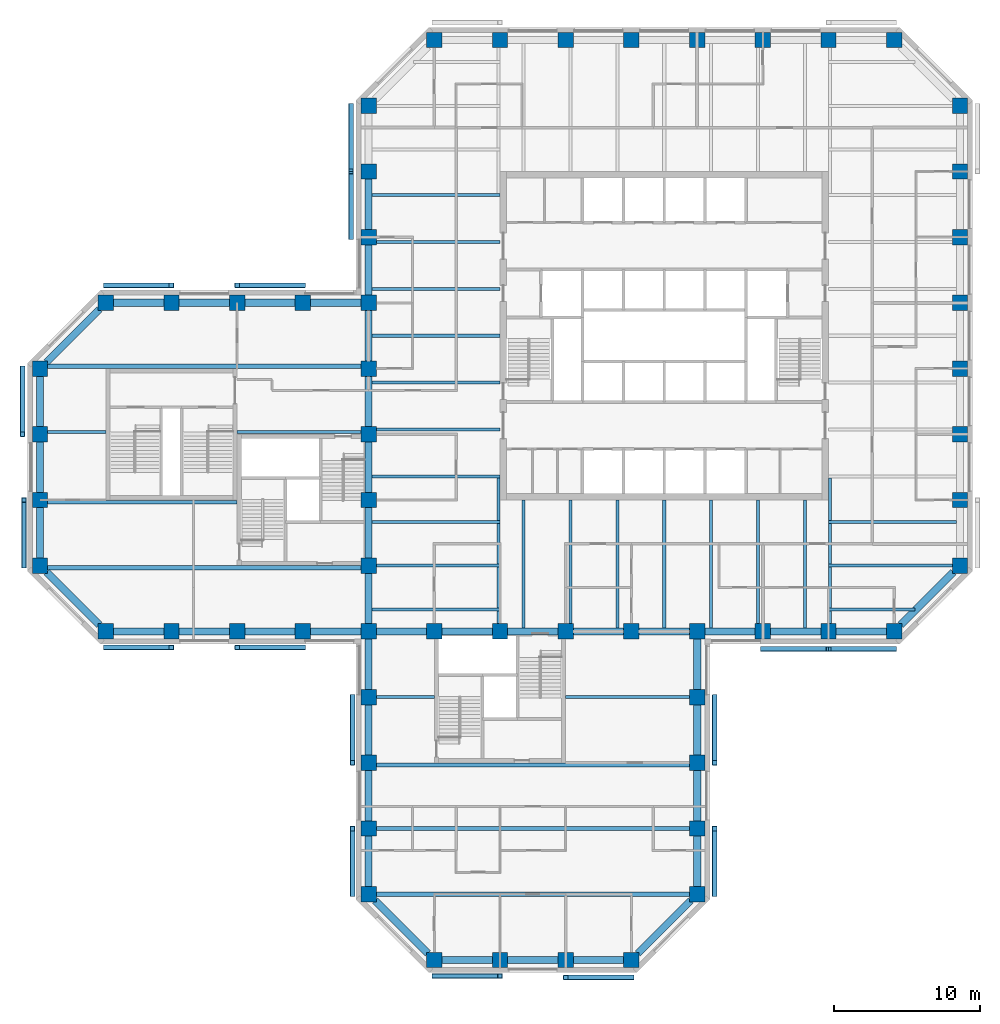
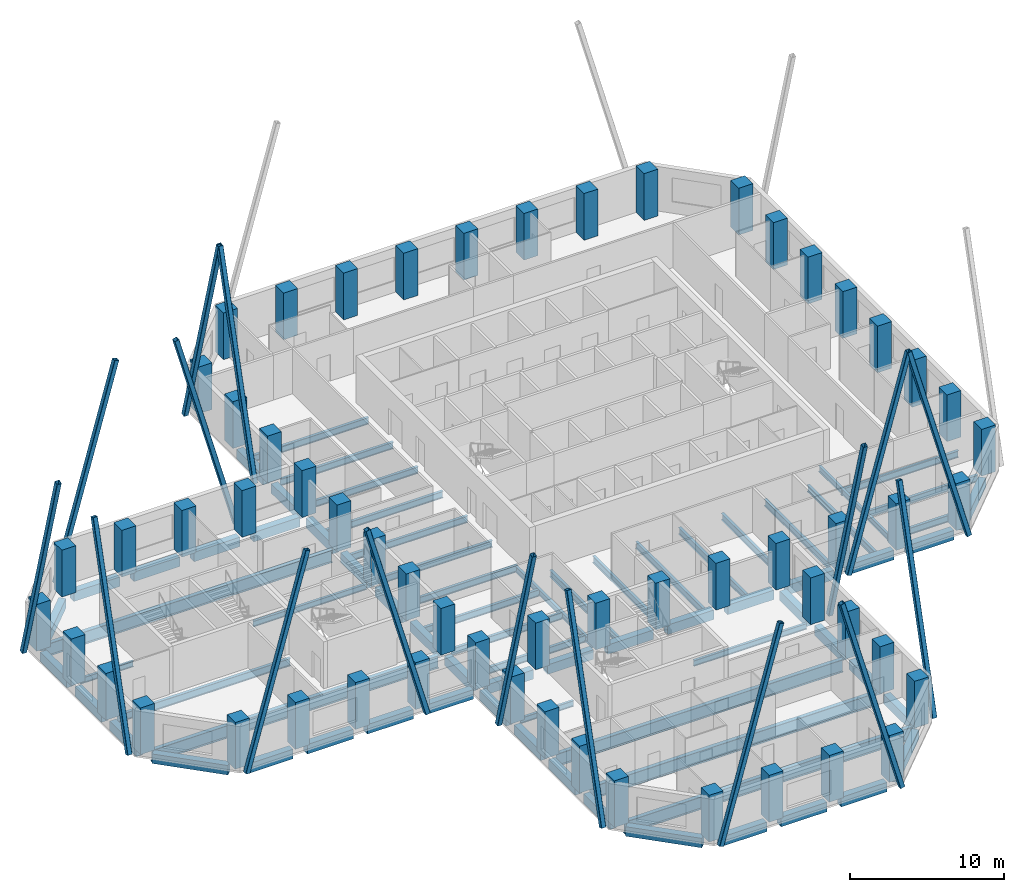
# One storey, part 1 of 11: 74 beams, 57 columns, 16 members.
"""IFC4 building model written with IfcOpenShell, lengths in metres."""

from ifc_helpers import new_model, si_unit, direction, frame, origin, origin_2d, place, context, subcontext, project, spatial, rectangle, hollow_rectangle, i_section, extrude, material, material_profile, profile_set, type_object, element, save


model = new_model("IFC4")

# Units and contexts
model_context = context("Model", 3, precision=1e-05, world=origin(), true_north=direction((0.0, 1.0)))
body_context = subcontext(model_context, "Body", "Model", "MODEL_VIEW")
ifc_project = project(units=[si_unit("LENGTHUNIT", "METRE"), si_unit("AREAUNIT", "SQUARE_METRE"), si_unit("VOLUMEUNIT", "CUBIC_METRE"), si_unit("PLANEANGLEUNIT", "RADIAN"), si_unit("MASSUNIT", "GRAM", prefix="KILO")], contexts=[model_context])

# Site, building, storey
site_placement = place(None, origin())
site = spatial("IfcSite", under=ifc_project, at=site_placement, CompositionType="ELEMENT")
building_placement = place(site_placement, origin())
building = spatial("IfcBuilding", under=site, at=building_placement, Name="Quoin Convention Tower", CompositionType="ELEMENT")
storey_placement = place(building_placement, frame((0.0, 0.0, 127.0)))
storey = spatial("IfcBuildingStorey", under=building, at=storey_placement, Name="L33", CompositionType="ELEMENT", Elevation=127.0)

# Columns
ifc_material_1 = material(Name="Concrete C65", Category="concrete")
ifc_material_profile_1 = material_profile(ifc_material_1, rectangle(XDim=1.050048828125, YDim=1.050048828125, at=origin_2d()), Name="RC 1050x1050")
ifc_profile_set_1 = profile_set([ifc_material_profile_1], Name="Concrete C65")
column_type = type_object("IfcColumnType", Name="RC 1050x1050 C65", PredefinedType="COLUMN", material=ifc_profile_set_1)
for number, where, z_axis, x_axis, name in (
    (1, (40.5, 18.0, 0.0), (0.0, 0.0, 1.0), (1.0, 0.0, 0.0), "col-L33-40500_18000"),
    (2, (45.0, 18.0, 0.0), (0.0, 0.0, 1.0), (1.0, 0.0, 0.0), "col-L33-45000_18000"),
    (3, (49.5, 18.0, 0.0), (0.0, 0.0, 1.0), (1.0, 0.0, 0.0), "col-L33-49500_18000"),
    (4, (54.0, 18.0, 0.0), (0.0, 0.0, 1.0), (1.0, 0.0, 0.0), "col-L33-54000_18000"),
    (5, (36.0, 22.5, 0.0), (0.0, 0.0, 1.0), (1.0, 0.0, 0.0), "col-L33-36000_22500"),
    (6, (58.5, 22.5, 0.0), (0.0, 0.0, 1.0), (1.0, 0.0, 0.0), "col-L33-58500_22500"),
    (7, (36.0, 27.0, 0.0), (0.0, 0.0, 1.0), (1.0, 0.0, 0.0), "col-L33-36000_27000"),
    (8, (58.5, 27.0, 0.0), (0.0, 0.0, 1.0), (1.0, 0.0, 0.0), "col-L33-58500_27000"),
    (9, (36.0, 31.5, 0.0), (0.0, 0.0, 1.0), (1.0, 0.0, 0.0), "col-L33-36000_31500"),
    (10, (58.5, 31.5, 0.0), (0.0, 0.0, 1.0), (1.0, 0.0, 0.0), "col-L33-58500_31500"),
    (11, (36.0, 36.0, 0.0), (0.0, 0.0, 1.0), (1.0, 0.0, 0.0), "col-L33-36000_36000"),
    (12, (58.5, 36.0, 0.0), (0.0, 0.0, 1.0), (1.0, 0.0, 0.0), "col-L33-58500_36000"),
    (13, (18.0, 40.5, 0.0), (0.0, 0.0, 1.0), (1.0, 0.0, 0.0), "col-L33-18000_40500"),
    (14, (22.5, 40.5, 0.0), (0.0, 0.0, 1.0), (1.0, 0.0, 0.0), "col-L33-22500_40500"),
    (15, (27.0, 40.5, 0.0), (0.0, 0.0, 1.0), (1.0, 0.0, 0.0), "col-L33-27000_40500"),
    (16, (31.5, 40.5, 0.0), (0.0, 0.0, 1.0), (1.0, 0.0, 0.0), "col-L33-31500_40500"),
    (17, (36.0, 40.5, 0.0), (0.0, 0.0, 1.0), (1.0, 0.0, 0.0), "col-L33-36000_40500"),
    (18, (40.5, 40.5, 0.0), (0.0, 0.0, 1.0), (1.0, 0.0, 0.0), "web-L33-40500_40500"),
    (19, (45.0, 40.5, 0.0), (0.0, 0.0, 1.0), (1.0, 0.0, 0.0), "web-L33-45000_40500"),
    (20, (49.5, 40.5, 0.0), (0.0, 0.0, 1.0), (1.0, 0.0, 0.0), "web-L33-49500_40500"),
    (21, (54.0, 40.5, 0.0), (0.0, 0.0, 1.0), (1.0, 0.0, 0.0), "web-L33-54000_40500"),
    (22, (58.5, 40.5, 0.0), (0.0, 0.0, 1.0), (1.0, 0.0, 0.0), "col-L33-58500_40500"),
    (23, (63.0, 40.5, 0.0), (0.0, 0.0, 1.0), (1.0, 0.0, 0.0), "col-L33-63000_40500"),
    (24, (67.5, 40.5, 0.0), (0.0, 0.0, 1.0), (1.0, 0.0, 0.0), "col-L33-67500_40500"),
    (25, (72.0, 40.5, 0.0), (0.0, 0.0, 1.0), (1.0, 0.0, 0.0), "col-L33-72000_40500"),
    (26, (13.5, 45.0, 0.0), (0.0, 0.0, 1.0), (1.0, 0.0, 0.0), "col-L33-13500_45000"),
    (27, (36.0, 45.0, 0.0), (0.0, 0.0, 1.0), (1.0, 0.0, 0.0), "web-L33-36000_45000"),
    (28, (76.5, 45.0, 0.0), (0.0, 0.0, 1.0), (1.0, 0.0, 0.0), "col-L33-76500_45000"),
    (29, (13.5, 49.5, 0.0), (0.0, 0.0, 1.0), (1.0, 0.0, 0.0), "col-L33-13500_49500"),
    (30, (36.0, 49.5, 0.0), (0.0, 0.0, 1.0), (1.0, 0.0, 0.0), "web-L33-36000_49500"),
    (31, (76.5, 49.5, 0.0), (0.0, 0.0, 1.0), (1.0, 0.0, 0.0), "col-L33-76500_49500"),
    (32, (13.5, 54.0, 0.0), (0.0, 0.0, 1.0), (1.0, 0.0, 0.0), "col-L33-13500_54000"),
    (33, (36.0, 54.0, 0.0), (0.0, 0.0, 1.0), (1.0, 0.0, 0.0), "web-L33-36000_54000"),
    (34, (76.5, 54.0, 0.0), (0.0, 0.0, 1.0), (1.0, 0.0, 0.0), "col-L33-76500_54000"),
    (35, (13.5, 58.5, 0.0), (0.0, 0.0, 1.0), (1.0, 0.0, 0.0), "col-L33-13500_58500"),
    (36, (36.0, 58.5, 0.0), (0.0, 0.0, 1.0), (1.0, 0.0, 0.0), "web-L33-36000_58500"),
    (37, (76.5, 58.5, 0.0), (0.0, 0.0, 1.0), (1.0, 0.0, 0.0), "col-L33-76500_58500"),
    (38, (18.0, 63.0, 0.0), (0.0, 0.0, 1.0), (1.0, 0.0, 0.0), "col-L33-18000_63000"),
    (39, (22.5, 63.0, 0.0), (0.0, 0.0, 1.0), (1.0, 0.0, 0.0), "col-L33-22500_63000"),
    (40, (27.0, 63.0, 0.0), (0.0, 0.0, 1.0), (1.0, 0.0, 0.0), "col-L33-27000_63000"),
    (41, (31.5, 63.0, 0.0), (0.0, 0.0, 1.0), (1.0, 0.0, 0.0), "col-L33-31500_63000"),
    (42, (36.0, 63.0, 0.0), (0.0, 0.0, 1.0), (1.0, 0.0, 0.0), "col-L33-36000_63000"),
    (43, (76.5, 63.0, 0.0), (0.0, 0.0, 1.0), (1.0, 0.0, 0.0), "col-L33-76500_63000"),
    (44, (36.0, 67.5, 0.0), (0.0, 0.0, 1.0), (1.0, 0.0, 0.0), "col-L33-36000_67500"),
    (45, (76.5, 67.5, 0.0), (0.0, 0.0, 1.0), (1.0, 0.0, 0.0), "col-L33-76500_67500"),
    (46, (36.0, 72.0, 0.0), (0.0, 0.0, 1.0), (1.0, 0.0, 0.0), "col-L33-36000_72000"),
    (47, (76.5, 72.0, 0.0), (0.0, 0.0, 1.0), (1.0, 0.0, 0.0), "col-L33-76500_72000"),
    (48, (36.0, 76.5, 0.0), (0.0, 0.0, 1.0), (1.0, 0.0, 0.0), "col-L33-36000_76500"),
    (49, (76.5, 76.5, 0.0), (0.0, 0.0, 1.0), (1.0, 0.0, 0.0), "col-L33-76500_76500"),
    (50, (40.5, 81.0, 0.0), (0.0, 0.0, 1.0), (1.0, 0.0, 0.0), "col-L33-40500_81000"),
    (51, (45.0, 81.0, 0.0), (0.0, 0.0, 1.0), (1.0, 0.0, 0.0), "col-L33-45000_81000"),
    (52, (49.5, 81.0, 0.0), (0.0, 0.0, 1.0), (1.0, 0.0, 0.0), "col-L33-49500_81000"),
    (53, (54.0, 81.0, 0.0), (0.0, 0.0, 1.0), (1.0, 0.0, 0.0), "col-L33-54000_81000"),
    (54, (58.5, 81.0, 0.0), (0.0, 0.0, 1.0), (1.0, 0.0, 0.0), "col-L33-58500_81000"),
    (55, (63.0, 81.0, 0.0), (0.0, 0.0, 1.0), (1.0, 0.0, 0.0), "col-L33-63000_81000"),
    (56, (67.5, 81.0, 0.0), (0.0, 0.0, 1.0), (1.0, 0.0, 0.0), "col-L33-67500_81000"),
    (57, (72.0, 81.0, 0.0), (0.0, 0.0, 1.0), (1.0, 0.0, 0.0), "col-L33-72000_81000"),
):
    element("IfcColumn", number, at=place(storey_placement, frame(where, z_axis=z_axis, x_axis=x_axis)), inside=storey, type_object=column_type, Name=name, PredefinedType="COLUMN", context=body_context, shape_type="SweptSolid", body=[
        extrude(rectangle(XDim=1.050048828125, YDim=1.050048828125, at=origin_2d()), origin(), (0.0, 0.0, 1.0), 3.699951171875),
    ])

# Beams
ifc_material_2 = material(Name="Steel Grade 300", Category="steel")
ifc_material_profile_2 = material_profile(ifc_material_2, i_section(OverallWidth=0.300048828125, OverallDepth=1.0, WebThickness=0.01611328125, FlangeThickness=0.02001953125, at=origin_2d()), Name="1000WB215")
ifc_profile_set_2 = profile_set([ifc_material_profile_2], Name="Steel Grade 300")
beam_type_1 = type_object("IfcBeamType", Name="1000WB215", PredefinedType="BEAM", material=ifc_profile_set_2)
for number, where, z_axis, x_axis, name in (
    (58, (36.52490234375, 22.5, -0.64990234375), (1.0, 0.0, 0.0), (0.0, 1.0, 0.0), "gir-L33-ST3-1-0"),
    (59, (36.52490234375, 27.0, -0.64990234375), (1.0, 0.0, 0.0), (0.0, 1.0, 0.0), "gir-L33-ST3-2-0"),
    (60, (36.52490234375, 31.35009765625, -0.64990234375), (1.0, 0.0, 0.0), (0.0, 1.0, 0.0), "gir-L33-ST3-3-0"),
    (61, (14.02490234375, 44.85009765625, -0.64990234375), (1.0, 0.0, 0.0), (0.0, 1.0, 0.0), "gir-L33-ST2-1-0"),
    (62, (14.02490234375, 58.64990234375, -0.64990234375), (1.0, 0.0, 0.0), (0.0, 1.0, 0.0), "gir-L33-ST2-4-0"),
):
    element("IfcBeam", number, at=place(storey_placement, frame(where, z_axis=z_axis, x_axis=x_axis)), inside=storey, type_object=beam_type_1, Name=name, PredefinedType="BEAM", context=body_context, shape_type="SweptSolid", body=[
        extrude(i_section(OverallWidth=0.300048828125, OverallDepth=1.0, WebThickness=0.01611328125, FlangeThickness=0.02001953125, at=origin_2d()), origin(), (0.0, 0.0, 1.0), 21.4501953125),
    ])
ifc_material_profile_3 = material_profile(ifc_material_2, i_section(OverallWidth=0.18994140625, OverallDepth=0.4541015625, WebThickness=0.008544921875, FlangeThickness=0.0126953125, FilletRadius=0.011474609375, at=origin_2d()), Name="460UB67.1")
ifc_profile_set_3 = profile_set([ifc_material_profile_3], Name="Steel Grade 300")
beam_type_2 = type_object("IfcBeamType", Name="460UB67.1", PredefinedType="BEAM", material=ifc_profile_set_3)
for number, where, z_axis, x_axis, name in (
    (63, (44.8955078125, 41.02490234375, -0.376953125), (0.0, 1.0, 0.0), (-1.0, 0.0, 0.0), "gir-L33-T1SW"),
    (64, (67.6044921875, 41.02490234375, -0.376953125), (0.0, 1.0, 0.0), (-1.0, 0.0, 0.0), "gir-L33-T1SE"),
):
    element("IfcBeam", number, at=place(storey_placement, frame(where, z_axis=z_axis, x_axis=x_axis)), inside=storey, type_object=beam_type_2, Name=name, PredefinedType="BEAM", context=body_context, shape_type="SweptSolid", body=[
        extrude(i_section(OverallWidth=0.18994140625, OverallDepth=0.4541015625, WebThickness=0.008544921875, FlangeThickness=0.0126953125, FilletRadius=0.011474609375, at=origin_2d()), origin(), (0.0, 0.0, 1.0), 9.977783203125),
    ])
beam_1_placement = place(storey_placement, frame((36.52490234375, 36.0, -0.376953125), z_axis=(1.0, 0.0, 0.0), x_axis=(0.0, 1.0, 0.0)))
element("IfcBeam", 65, at=beam_1_placement, inside=storey, type_object=beam_type_2, Name="gir-L33-ST3-4-0", PredefinedType="BEAM", context=body_context, shape_type="SweptSolid", body=[
    extrude(i_section(OverallWidth=0.18994140625, OverallDepth=0.4541015625, WebThickness=0.008544921875, FlangeThickness=0.0126953125, FilletRadius=0.011474609375, at=origin_2d()), origin(), (0.0, 0.0, 1.0), 3.97509765625),
])
beam_2_placement = place(storey_placement, frame((49.5, 36.0, -0.376953125), z_axis=(1.0, 0.0, 0.0), x_axis=(0.0, 1.0, 0.0)))
element("IfcBeam", 66, at=beam_2_placement, inside=storey, type_object=beam_type_2, Name="gir-L33-ST3-4-1", PredefinedType="BEAM", context=body_context, shape_type="SweptSolid", body=[
    extrude(i_section(OverallWidth=0.18994140625, OverallDepth=0.4541015625, WebThickness=0.008544921875, FlangeThickness=0.0126953125, FilletRadius=0.011474609375, at=origin_2d()), origin(), (0.0, 0.0, 1.0), 8.47509765625),
])
beam_3_placement = place(storey_placement, frame((14.02490234375, 54.14990234375, -0.376953125), z_axis=(1.0, 0.0, 0.0), x_axis=(0.0, 1.0, 0.0)))
element("IfcBeam", 67, at=beam_3_placement, inside=storey, type_object=beam_type_2, Name="gir-L33-ST2-3-0", PredefinedType="BEAM", context=body_context, shape_type="SweptSolid", body=[
    extrude(i_section(OverallWidth=0.18994140625, OverallDepth=0.4541015625, WebThickness=0.008544921875, FlangeThickness=0.0126953125, FilletRadius=0.011474609375, at=origin_2d()), origin(), (0.0, 0.0, 1.0), 3.97509765625),
])
beam_4_placement = place(storey_placement, frame((27.0, 54.14990234375, -0.376953125), z_axis=(1.0, 0.0, 0.0), x_axis=(0.0, 1.0, 0.0)))
element("IfcBeam", 68, at=beam_4_placement, inside=storey, type_object=beam_type_2, Name="gir-L33-ST2-3-1", PredefinedType="BEAM", context=body_context, shape_type="SweptSolid", body=[
    extrude(i_section(OverallWidth=0.18994140625, OverallDepth=0.4541015625, WebThickness=0.008544921875, FlangeThickness=0.0126953125, FilletRadius=0.011474609375, at=origin_2d()), origin(), (0.0, 0.0, 1.0), 8.47509765625),
])
ifc_material_profile_4 = material_profile(ifc_material_2, i_section(OverallWidth=0.208984375, OverallDepth=0.528076171875, WebThickness=0.009521484375, FlangeThickness=0.01318359375, FilletRadius=0.013916015625, at=origin_2d()), Name="530UB82.0")
ifc_profile_set_4 = profile_set([ifc_material_profile_4], Name="Steel Grade 300")
beam_type_3 = type_object("IfcBeamType", Name="530UB82.0", PredefinedType="BEAM", material=ifc_profile_set_4)
beam_5_placement = place(storey_placement, frame((36.25, 51.107177734375, -0.4140625), z_axis=(1.0, 0.0, 0.0), x_axis=(0.0, 1.0, 0.0)))
element("IfcBeam", 69, at=beam_5_placement, inside=storey, type_object=beam_type_3, Name="bm-L33-T1W0", PredefinedType="BEAM", context=body_context, shape_type="SweptSolid", body=[
    extrude(i_section(OverallWidth=0.208984375, OverallDepth=0.528076171875, WebThickness=0.009521484375, FlangeThickness=0.01318359375, FilletRadius=0.013916015625, at=origin_2d()), origin(), (0.0, 0.0, 1.0), 8.75),
])
beam_6_placement = place(storey_placement, frame((36.52490234375, 54.3212890625, -0.4140625), z_axis=(1.0, 0.0, 0.0), x_axis=(0.0, 1.0, 0.0)))
element("IfcBeam", 70, at=beam_6_placement, inside=storey, type_object=beam_type_3, Name="bm-L33-T1W1", PredefinedType="BEAM", context=body_context, shape_type="SweptSolid", body=[
    extrude(i_section(OverallWidth=0.208984375, OverallDepth=0.528076171875, WebThickness=0.009521484375, FlangeThickness=0.01318359375, FilletRadius=0.013916015625, at=origin_2d()), origin(), (0.0, 0.0, 1.0), 8.47509765625),
])
for number, where, z_axis, x_axis, name in (
    (71, (36.25, 57.53564453125, -0.4140625), (1.0, 0.0, 0.0), (0.0, 1.0, 0.0), "bm-L33-T1W2"),
    (72, (36.25, 60.75, -0.4140625), (1.0, 0.0, 0.0), (0.0, 1.0, 0.0), "bm-L33-T1W3"),
    (73, (36.25, 63.96435546875, -0.4140625), (1.0, 0.0, 0.0), (0.0, 1.0, 0.0), "bm-L33-T1W4"),
):
    element("IfcBeam", number, at=place(storey_placement, frame(where, z_axis=z_axis, x_axis=x_axis)), inside=storey, type_object=beam_type_3, Name=name, PredefinedType="BEAM", context=body_context, shape_type="SweptSolid", body=[
        extrude(i_section(OverallWidth=0.208984375, OverallDepth=0.528076171875, WebThickness=0.009521484375, FlangeThickness=0.01318359375, FilletRadius=0.013916015625, at=origin_2d()), origin(), (0.0, 0.0, 1.0), 8.75),
    ])
beam_7_placement = place(storey_placement, frame((36.52490234375, 67.1787109375, -0.4140625), z_axis=(1.0, 0.0, 0.0), x_axis=(0.0, 1.0, 0.0)))
element("IfcBeam", 74, at=beam_7_placement, inside=storey, type_object=beam_type_3, Name="bm-L33-T1W5", PredefinedType="BEAM", context=body_context, shape_type="SweptSolid", body=[
    extrude(i_section(OverallWidth=0.208984375, OverallDepth=0.528076171875, WebThickness=0.009521484375, FlangeThickness=0.01318359375, FilletRadius=0.013916015625, at=origin_2d()), origin(), (0.0, 0.0, 1.0), 8.47509765625),
])
for number, where, z_axis, x_axis, name in (
    (75, (36.25, 70.392822265625, -0.4140625), (1.0, 0.0, 0.0), (0.0, 1.0, 0.0), "bm-L33-T1W6"),
    (76, (46.607177734375, 40.75, -0.4140625), (0.0, 1.0, 0.0), (-1.0, 0.0, 0.0), "bm-L33-T1S0"),
):
    element("IfcBeam", number, at=place(storey_placement, frame(where, z_axis=z_axis, x_axis=x_axis)), inside=storey, type_object=beam_type_3, Name=name, PredefinedType="BEAM", context=body_context, shape_type="SweptSolid", body=[
        extrude(i_section(OverallWidth=0.208984375, OverallDepth=0.528076171875, WebThickness=0.009521484375, FlangeThickness=0.01318359375, FilletRadius=0.013916015625, at=origin_2d()), origin(), (0.0, 0.0, 1.0), 8.75),
    ])
beam_8_placement = place(storey_placement, frame((49.8212890625, 41.02490234375, -0.4140625), z_axis=(0.0, 1.0, 0.0), x_axis=(-1.0, 0.0, 0.0)))
element("IfcBeam", 77, at=beam_8_placement, inside=storey, type_object=beam_type_3, Name="bm-L33-T1S1", PredefinedType="BEAM", context=body_context, shape_type="SweptSolid", body=[
    extrude(i_section(OverallWidth=0.208984375, OverallDepth=0.528076171875, WebThickness=0.009521484375, FlangeThickness=0.01318359375, FilletRadius=0.013916015625, at=origin_2d()), origin(), (0.0, 0.0, 1.0), 8.47509765625),
])
for number, where, z_axis, x_axis, name in (
    (78, (53.03564453125, 40.75, -0.4140625), (0.0, 1.0, 0.0), (-1.0, 0.0, 0.0), "bm-L33-T1S2"),
    (79, (56.25, 40.75, -0.4140625), (0.0, 1.0, 0.0), (-1.0, 0.0, 0.0), "bm-L33-T1S3"),
    (80, (59.46435546875, 40.75, -0.4140625), (0.0, 1.0, 0.0), (-1.0, 0.0, 0.0), "bm-L33-T1S4"),
):
    element("IfcBeam", number, at=place(storey_placement, frame(where, z_axis=z_axis, x_axis=x_axis)), inside=storey, type_object=beam_type_3, Name=name, PredefinedType="BEAM", context=body_context, shape_type="SweptSolid", body=[
        extrude(i_section(OverallWidth=0.208984375, OverallDepth=0.528076171875, WebThickness=0.009521484375, FlangeThickness=0.01318359375, FilletRadius=0.013916015625, at=origin_2d()), origin(), (0.0, 0.0, 1.0), 8.75),
    ])
beam_9_placement = place(storey_placement, frame((62.6787109375, 41.02490234375, -0.4140625), z_axis=(0.0, 1.0, 0.0), x_axis=(-1.0, 0.0, 0.0)))
element("IfcBeam", 81, at=beam_9_placement, inside=storey, type_object=beam_type_3, Name="bm-L33-T1S5", PredefinedType="BEAM", context=body_context, shape_type="SweptSolid", body=[
    extrude(i_section(OverallWidth=0.208984375, OverallDepth=0.528076171875, WebThickness=0.009521484375, FlangeThickness=0.01318359375, FilletRadius=0.013916015625, at=origin_2d()), origin(), (0.0, 0.0, 1.0), 8.47509765625),
])
for number, where, z_axis, x_axis, name in (
    (82, (65.892822265625, 40.75, -0.4140625), (0.0, 1.0, 0.0), (-1.0, 0.0, 0.0), "bm-L33-T1S6"),
    (83, (36.25, 42.0, -0.4140625), (1.0, 0.0, 0.0), (0.0, 1.0, 0.0), "bm-L33-T1SW0"),
):
    element("IfcBeam", number, at=place(storey_placement, frame(where, z_axis=z_axis, x_axis=x_axis)), inside=storey, type_object=beam_type_3, Name=name, PredefinedType="BEAM", context=body_context, shape_type="SweptSolid", body=[
        extrude(i_section(OverallWidth=0.208984375, OverallDepth=0.528076171875, WebThickness=0.009521484375, FlangeThickness=0.01318359375, FilletRadius=0.013916015625, at=origin_2d()), origin(), (0.0, 0.0, 1.0), 8.75),
    ])
beam_10_placement = place(storey_placement, frame((36.52490234375, 45.0, -0.4140625), z_axis=(1.0, 0.0, 0.0), x_axis=(0.0, 1.0, 0.0)))
element("IfcBeam", 84, at=beam_10_placement, inside=storey, type_object=beam_type_3, Name="bm-L33-T1SW1", PredefinedType="BEAM", context=body_context, shape_type="SweptSolid", body=[
    extrude(i_section(OverallWidth=0.208984375, OverallDepth=0.528076171875, WebThickness=0.009521484375, FlangeThickness=0.01318359375, FilletRadius=0.013916015625, at=origin_2d()), origin(), (0.0, 0.0, 1.0), 8.47509765625),
])
beam_11_placement = place(storey_placement, frame((36.25, 48.0, -0.4140625), z_axis=(1.0, 0.0, 0.0), x_axis=(0.0, 1.0, 0.0)))
element("IfcBeam", 85, at=beam_11_placement, inside=storey, type_object=beam_type_3, Name="bm-L33-T1SW2", PredefinedType="BEAM", context=body_context, shape_type="SweptSolid", body=[
    extrude(i_section(OverallWidth=0.208984375, OverallDepth=0.528076171875, WebThickness=0.009521484375, FlangeThickness=0.01318359375, FilletRadius=0.013916015625, at=origin_2d()), origin(), (0.0, 0.0, 1.0), 8.75),
])
beam_12_placement = place(storey_placement, frame((67.5, 42.0, -0.4140625), z_axis=(1.0, 0.0, 0.0), x_axis=(0.0, 1.0, 0.0)))
element("IfcBeam", 86, at=beam_12_placement, inside=storey, type_object=beam_type_3, Name="bm-L33-T1SE0", PredefinedType="BEAM", context=body_context, shape_type="SweptSolid", body=[
    extrude(i_section(OverallWidth=0.208984375, OverallDepth=0.528076171875, WebThickness=0.009521484375, FlangeThickness=0.01318359375, FilletRadius=0.013916015625, at=origin_2d()), origin(), (0.0, 0.0, 1.0), 5.927734375),
])
beam_13_placement = place(storey_placement, frame((67.5, 45.0, -0.4140625), z_axis=(1.0, 0.0, 0.0), x_axis=(0.0, 1.0, 0.0)))
element("IfcBeam", 87, at=beam_13_placement, inside=storey, type_object=beam_type_3, Name="bm-L33-T1SE1", PredefinedType="BEAM", context=body_context, shape_type="SweptSolid", body=[
    extrude(i_section(OverallWidth=0.208984375, OverallDepth=0.528076171875, WebThickness=0.009521484375, FlangeThickness=0.01318359375, FilletRadius=0.013916015625, at=origin_2d()), origin(), (0.0, 0.0, 1.0), 8.47509765625),
])
beam_14_placement = place(storey_placement, frame((67.5, 48.0, -0.4140625), z_axis=(1.0, 0.0, 0.0), x_axis=(0.0, 1.0, 0.0)))
element("IfcBeam", 88, at=beam_14_placement, inside=storey, type_object=beam_type_3, Name="bm-L33-T1SE2", PredefinedType="BEAM", context=body_context, shape_type="SweptSolid", body=[
    extrude(i_section(OverallWidth=0.208984375, OverallDepth=0.528076171875, WebThickness=0.009521484375, FlangeThickness=0.01318359375, FilletRadius=0.013916015625, at=origin_2d()), origin(), (0.0, 0.0, 1.0), 8.75),
])
ifc_material_profile_5 = material_profile(ifc_material_2, i_section(OverallWidth=0.22802734375, OverallDepth=0.60205078125, WebThickness=0.010498046875, FlangeThickness=0.014892578125, FilletRadius=0.013916015625, at=origin_2d()), Name="610UB101")
ifc_profile_set_5 = profile_set([ifc_material_profile_5], Name="Steel Grade 300")
beam_type_4 = type_object("IfcBeamType", Name="610UB101", PredefinedType="BEAM", material=ifc_profile_set_5)
beam_15_placement = place(storey_placement, frame((14.02490234375, 49.35009765625, -0.450927734375), z_axis=(1.0, 0.0, 0.0), x_axis=(0.0, 1.0, 0.0)))
element("IfcBeam", 89, at=beam_15_placement, inside=storey, type_object=beam_type_4, Name="gir-L33-ST2-2-0", PredefinedType="BEAM", context=body_context, shape_type="SweptSolid", body=[
    extrude(i_section(OverallWidth=0.22802734375, OverallDepth=0.60205078125, WebThickness=0.010498046875, FlangeThickness=0.014892578125, FilletRadius=0.013916015625, at=origin_2d()), origin(), (0.0, 0.0, 1.0), 12.97509765625),
])

# Members
ifc_material_3 = material(Name="Steel C450L0", Category="steel")
ifc_material_profile_6 = material_profile(ifc_material_3, hollow_rectangle(XDim=0.35009765625, YDim=0.35009765625, WallThickness=0.01611328125, InnerFilletRadius=0.02392578125, OuterFilletRadius=0.0400390625, at=origin_2d()), Name="350x350x16.0SHS")
ifc_profile_set_6 = profile_set([ifc_material_profile_6], Name="Steel C450L0")
member_type = type_object("IfcMemberType", Name="Exposed brace 350x350x16.0SHS", PredefinedType="BRACE", material=ifc_profile_set_6)
for number, where, z_axis, x_axis, name in (
    (90, (12.300048828125, 58.5, -0.074951171875), (0.0, -0.269188406431, 0.963087535919), (1.0, 0.0, 0.0), "brc-L33-13500_58500-13500_54000"),
    (91, (12.39990234375, 45.0, -0.074951171875), (0.0, 0.269188406431, 0.963087535919), (-1.0, 0.0, 0.0), "brc-L33-13500_49500-13500_45000"),
    (92, (18.0, 39.39990234375, -0.074951171875), (0.269188406431, 0.0, 0.963087535919), (0.0, 1.0, 0.0), "brc-L33-18000_40500-22500_40500"),
    (93, (31.5, 39.39990234375, -0.074951171875), (-0.269188406431, 0.0, 0.963087535919), (0.0, -1.0, 0.0), "brc-L33-27000_40500-31500_40500"),
    (94, (34.89990234375, 36.0, -0.074951171875), (0.0, -0.269188406431, 0.963087535919), (1.0, 0.0, 0.0), "brc-L33-36000_36000-36000_31500"),
    (95, (34.89990234375, 22.5, -0.074951171875), (0.0, 0.269188406431, 0.963087535919), (-1.0, 0.0, 0.0), "brc-L33-36000_27000-36000_22500"),
    (96, (31.5, 64.199951171875, -0.074951171875), (-0.269188406431, 0.0, 0.963087535919), (0.0, -1.0, 0.0), "brc-L33-31500_63000-27000_63000"),
    (97, (18.0, 64.199951171875, -0.074951171875), (0.269188406431, 0.0, 0.963087535919), (0.0, 1.0, 0.0), "brc-L33-22500_63000-18000_63000"),
    (98, (34.800048828125, 76.5, -0.074951171875), (0.0, -0.269188406431, 0.963087535919), (1.0, 0.0, 0.0), "brc-L33-36000_76500-36000_72000"),
    (99, (34.800048828125, 67.5, -0.074951171875), (0.0, 0.269188406431, 0.963087535919), (-1.0, 0.0, 0.0), "brc-L33-36000_72000-36000_67500"),
    (100, (40.5, 16.89990234375, -0.074951171875), (0.269188406431, 0.0, 0.963087535919), (0.0, 1.0, 0.0), "brc-L33-40500_18000-45000_18000"),
    (101, (54.0, 16.800048828125, -0.074951171875), (-0.269188406431, 0.0, 0.963087535919), (0.0, -1.0, 0.0), "brc-L33-49500_18000-54000_18000"),
    (102, (59.699951171875, 22.5, -0.074951171875), (0.0, 0.269188406431, 0.963087535919), (-1.0, 0.0, 0.0), "brc-L33-58500_22500-58500_27000"),
    (103, (59.699951171875, 36.0, -0.074951171875), (0.0, -0.269188406431, 0.963087535919), (1.0, 0.0, 0.0), "brc-L33-58500_31500-58500_36000"),
    (104, (63.0, 39.300048828125, -0.074951171875), (0.269188406431, 0.0, 0.963087535919), (0.0, 1.0, 0.0), "brc-L33-63000_40500-67500_40500"),
    (105, (72.0, 39.300048828125, -0.074951171875), (-0.269188406431, 0.0, 0.963087535919), (0.0, -1.0, 0.0), "brc-L33-67500_40500-72000_40500"),
):
    element("IfcMember", number, at=place(storey_placement, frame(where, z_axis=z_axis, x_axis=x_axis)), inside=storey, type_object=member_type, Name=name, PredefinedType="BRACE", context=body_context, shape_type="SweptSolid", body=[
        extrude(hollow_rectangle(XDim=0.35009765625, YDim=0.35009765625, WallThickness=0.01611328125, InnerFilletRadius=0.02392578125, OuterFilletRadius=0.0400390625, at=origin_2d()), origin(), (0.0, 0.0, 1.0), 16.716796875),
    ])

# Beams
ifc_material_profile_7 = material_profile(ifc_material_1, rectangle(XDim=0.5, YDim=0.75, at=origin_2d()), Name="RC 500x750")
ifc_profile_set_7 = profile_set([ifc_material_profile_7], Name="Concrete C65")
beam_type_5 = type_object("IfcBeamType", Name="RC 500x750 C65", PredefinedType="SPANDREL", material=ifc_profile_set_7)
for number, where, z_axis, x_axis, name in (
    (106, (59.02490234375, 40.5, -0.52490234375), (1.0, 0.0, 0.0), (0.0, 1.0, 0.0), "spd-L33-58500_40500-63000_40500"),
    (107, (63.52490234375, 40.5, -0.52490234375), (1.0, 0.0, 0.0), (0.0, 1.0, 0.0), "spd-L33-63000_40500-67500_40500"),
    (108, (68.02490234375, 40.5, -0.52490234375), (1.0, 0.0, 0.0), (0.0, 1.0, 0.0), "spd-L33-67500_40500-72000_40500"),
):
    element("IfcBeam", number, at=place(storey_placement, frame(where, z_axis=z_axis, x_axis=x_axis)), inside=storey, type_object=beam_type_5, Name=name, PredefinedType="SPANDREL", context=body_context, shape_type="SweptSolid", body=[
        extrude(rectangle(XDim=0.5, YDim=0.75, at=origin_2d()), origin(), (0.0, 0.0, 1.0), 3.4501953125),
    ])
beam_16_placement = place(storey_placement, frame((72.440185546875, 40.940185546875, -0.52490234375), z_axis=(0.707106781187, 0.707106781187, 0.0), x_axis=(-0.707106781187, 0.707106781187, 0.0)))
element("IfcBeam", 109, at=beam_16_placement, inside=storey, type_object=beam_type_5, Name="spd-L33-72000_40500-76500_45000", PredefinedType="SPANDREL", context=body_context, shape_type="SweptSolid", body=[
    extrude(rectangle(XDim=0.5, YDim=0.75, at=origin_2d()), origin(), (0.0, 0.0, 1.0), 5.118896484375),
])
for number, where, z_axis, x_axis, name in (
    (110, (36.0, 71.47509765625, -0.52490234375), (0.0, -1.0, 0.0), (1.0, 0.0, 0.0), "spd-L33-36000_72000-36000_67500"),
    (111, (36.0, 66.97509765625, -0.52490234375), (0.0, -1.0, 0.0), (1.0, 0.0, 0.0), "spd-L33-36000_67500-36000_63000"),
    (112, (35.47509765625, 63.0, -0.52490234375), (-1.0, 0.0, 0.0), (0.0, -1.0, 0.0), "spd-L33-36000_63000-31500_63000"),
    (113, (30.97509765625, 63.0, -0.52490234375), (-1.0, 0.0, 0.0), (0.0, -1.0, 0.0), "spd-L33-31500_63000-27000_63000"),
    (114, (26.47509765625, 63.0, -0.52490234375), (-1.0, 0.0, 0.0), (0.0, -1.0, 0.0), "spd-L33-27000_63000-22500_63000"),
    (115, (21.97509765625, 63.0, -0.52490234375), (-1.0, 0.0, 0.0), (0.0, -1.0, 0.0), "spd-L33-22500_63000-18000_63000"),
):
    element("IfcBeam", number, at=place(storey_placement, frame(where, z_axis=z_axis, x_axis=x_axis)), inside=storey, type_object=beam_type_5, Name=name, PredefinedType="SPANDREL", context=body_context, shape_type="SweptSolid", body=[
        extrude(rectangle(XDim=0.5, YDim=0.75, at=origin_2d()), origin(), (0.0, 0.0, 1.0), 3.4501953125),
    ])
beam_17_placement = place(storey_placement, frame((17.559814453125, 62.559814453125, -0.52490234375), z_axis=(-0.707106781187, -0.707106781187, 0.0), x_axis=(0.707106781187, -0.707106781187, 0.0)))
element("IfcBeam", 116, at=beam_17_placement, inside=storey, type_object=beam_type_5, Name="spd-L33-18000_63000-13500_58500", PredefinedType="SPANDREL", context=body_context, shape_type="SweptSolid", body=[
    extrude(rectangle(XDim=0.5, YDim=0.75, at=origin_2d()), origin(), (0.0, 0.0, 1.0), 5.118896484375),
])
for number, where, z_axis, x_axis, name in (
    (117, (13.5, 57.97509765625, -0.52490234375), (0.0, -1.0, 0.0), (1.0, 0.0, 0.0), "spd-L33-13500_58500-13500_54000"),
    (118, (13.5, 53.47509765625, -0.52490234375), (0.0, -1.0, 0.0), (1.0, 0.0, 0.0), "spd-L33-13500_54000-13500_49500"),
    (119, (13.5, 48.97509765625, -0.52490234375), (0.0, -1.0, 0.0), (1.0, 0.0, 0.0), "spd-L33-13500_49500-13500_45000"),
):
    element("IfcBeam", number, at=place(storey_placement, frame(where, z_axis=z_axis, x_axis=x_axis)), inside=storey, type_object=beam_type_5, Name=name, PredefinedType="SPANDREL", context=body_context, shape_type="SweptSolid", body=[
        extrude(rectangle(XDim=0.5, YDim=0.75, at=origin_2d()), origin(), (0.0, 0.0, 1.0), 3.4501953125),
    ])
beam_18_placement = place(storey_placement, frame((13.940185546875, 44.559814453125, -0.52490234375), z_axis=(0.707106781187, -0.707106781187, 0.0), x_axis=(0.707106781187, 0.707106781187, 0.0)))
element("IfcBeam", 120, at=beam_18_placement, inside=storey, type_object=beam_type_5, Name="spd-L33-13500_45000-18000_40500", PredefinedType="SPANDREL", context=body_context, shape_type="SweptSolid", body=[
    extrude(rectangle(XDim=0.5, YDim=0.75, at=origin_2d()), origin(), (0.0, 0.0, 1.0), 5.118896484375),
])
for number, where, z_axis, x_axis, name in (
    (121, (18.52490234375, 40.5, -0.52490234375), (1.0, 0.0, 0.0), (0.0, 1.0, 0.0), "spd-L33-18000_40500-22500_40500"),
    (122, (23.02490234375, 40.5, -0.52490234375), (1.0, 0.0, 0.0), (0.0, 1.0, 0.0), "spd-L33-22500_40500-27000_40500"),
    (123, (27.52490234375, 40.5, -0.52490234375), (1.0, 0.0, 0.0), (0.0, 1.0, 0.0), "spd-L33-27000_40500-31500_40500"),
    (124, (32.02490234375, 40.5, -0.52490234375), (1.0, 0.0, 0.0), (0.0, 1.0, 0.0), "spd-L33-31500_40500-36000_40500"),
    (125, (36.0, 39.97509765625, -0.52490234375), (0.0, -1.0, 0.0), (1.0, 0.0, 0.0), "spd-L33-36000_40500-36000_36000"),
    (126, (36.0, 35.47509765625, -0.52490234375), (0.0, -1.0, 0.0), (1.0, 0.0, 0.0), "spd-L33-36000_36000-36000_31500"),
    (127, (36.0, 30.97509765625, -0.52490234375), (0.0, -1.0, 0.0), (1.0, 0.0, 0.0), "spd-L33-36000_31500-36000_27000"),
    (128, (36.0, 26.47509765625, -0.52490234375), (0.0, -1.0, 0.0), (1.0, 0.0, 0.0), "spd-L33-36000_27000-36000_22500"),
):
    element("IfcBeam", number, at=place(storey_placement, frame(where, z_axis=z_axis, x_axis=x_axis)), inside=storey, type_object=beam_type_5, Name=name, PredefinedType="SPANDREL", context=body_context, shape_type="SweptSolid", body=[
        extrude(rectangle(XDim=0.5, YDim=0.75, at=origin_2d()), origin(), (0.0, 0.0, 1.0), 3.4501953125),
    ])
beam_19_placement = place(storey_placement, frame((36.440185546875, 22.059814453125, -0.52490234375), z_axis=(0.707106781187, -0.707106781187, 0.0), x_axis=(0.707106781187, 0.707106781187, 0.0)))
element("IfcBeam", 129, at=beam_19_placement, inside=storey, type_object=beam_type_5, Name="spd-L33-36000_22500-40500_18000", PredefinedType="SPANDREL", context=body_context, shape_type="SweptSolid", body=[
    extrude(rectangle(XDim=0.5, YDim=0.75, at=origin_2d()), origin(), (0.0, 0.0, 1.0), 5.118896484375),
])
for number, where, z_axis, x_axis, name in (
    (130, (41.02490234375, 18.0, -0.52490234375), (1.0, 0.0, 0.0), (0.0, 1.0, 0.0), "spd-L33-40500_18000-45000_18000"),
    (131, (45.52490234375, 18.0, -0.52490234375), (1.0, 0.0, 0.0), (0.0, 1.0, 0.0), "spd-L33-45000_18000-49500_18000"),
    (132, (50.02490234375, 18.0, -0.52490234375), (1.0, 0.0, 0.0), (0.0, 1.0, 0.0), "spd-L33-49500_18000-54000_18000"),
):
    element("IfcBeam", number, at=place(storey_placement, frame(where, z_axis=z_axis, x_axis=x_axis)), inside=storey, type_object=beam_type_5, Name=name, PredefinedType="SPANDREL", context=body_context, shape_type="SweptSolid", body=[
        extrude(rectangle(XDim=0.5, YDim=0.75, at=origin_2d()), origin(), (0.0, 0.0, 1.0), 3.4501953125),
    ])
beam_20_placement = place(storey_placement, frame((54.440185546875, 18.440185546875, -0.52490234375), z_axis=(0.707106781187, 0.707106781187, 0.0), x_axis=(-0.707106781187, 0.707106781187, 0.0)))
element("IfcBeam", 133, at=beam_20_placement, inside=storey, type_object=beam_type_5, Name="spd-L33-54000_18000-58500_22500", PredefinedType="SPANDREL", context=body_context, shape_type="SweptSolid", body=[
    extrude(rectangle(XDim=0.5, YDim=0.75, at=origin_2d()), origin(), (0.0, 0.0, 1.0), 5.118896484375),
])
for number, where, z_axis, x_axis, name in (
    (134, (58.5, 23.02490234375, -0.52490234375), (0.0, 1.0, 0.0), (-1.0, 0.0, 0.0), "spd-L33-58500_22500-58500_27000"),
    (135, (58.5, 27.52490234375, -0.52490234375), (0.0, 1.0, 0.0), (-1.0, 0.0, 0.0), "spd-L33-58500_27000-58500_31500"),
    (136, (58.5, 32.02490234375, -0.52490234375), (0.0, 1.0, 0.0), (-1.0, 0.0, 0.0), "spd-L33-58500_31500-58500_36000"),
    (137, (58.5, 36.52490234375, -0.52490234375), (0.0, 1.0, 0.0), (-1.0, 0.0, 0.0), "spd-L33-58500_36000-58500_40500"),
    (138, (36.52490234375, 40.5, -0.52490234375), (1.0, 0.0, 0.0), (0.0, 1.0, 0.0), "spd-L33-36000_40500-40500_40500"),
    (139, (41.02490234375, 40.5, -0.52490234375), (1.0, 0.0, 0.0), (0.0, 1.0, 0.0), "spd-L33-40500_40500-45000_40500"),
    (140, (45.52490234375, 40.5, -0.52490234375), (1.0, 0.0, 0.0), (0.0, 1.0, 0.0), "spd-L33-45000_40500-49500_40500"),
    (141, (50.02490234375, 40.5, -0.52490234375), (1.0, 0.0, 0.0), (0.0, 1.0, 0.0), "spd-L33-49500_40500-54000_40500"),
    (142, (54.52490234375, 40.5, -0.52490234375), (1.0, 0.0, 0.0), (0.0, 1.0, 0.0), "spd-L33-54000_40500-58500_40500"),
    (143, (36.0, 41.02490234375, -0.52490234375), (0.0, 1.0, 0.0), (-1.0, 0.0, 0.0), "spd-L33-36000_40500-36000_45000"),
    (144, (36.0, 45.52490234375, -0.52490234375), (0.0, 1.0, 0.0), (-1.0, 0.0, 0.0), "spd-L33-36000_45000-36000_49500"),
    (145, (36.0, 50.02490234375, -0.52490234375), (0.0, 1.0, 0.0), (-1.0, 0.0, 0.0), "spd-L33-36000_49500-36000_54000"),
    (146, (36.0, 54.52490234375, -0.52490234375), (0.0, 1.0, 0.0), (-1.0, 0.0, 0.0), "spd-L33-36000_54000-36000_58500"),
    (147, (36.0, 59.02490234375, -0.52490234375), (0.0, 1.0, 0.0), (-1.0, 0.0, 0.0), "spd-L33-36000_58500-36000_63000"),
):
    element("IfcBeam", number, at=place(storey_placement, frame(where, z_axis=z_axis, x_axis=x_axis)), inside=storey, type_object=beam_type_5, Name=name, PredefinedType="SPANDREL", context=body_context, shape_type="SweptSolid", body=[
        extrude(rectangle(XDim=0.5, YDim=0.75, at=origin_2d()), origin(), (0.0, 0.0, 1.0), 3.4501953125),
    ])

save(model, "model.ifc")
